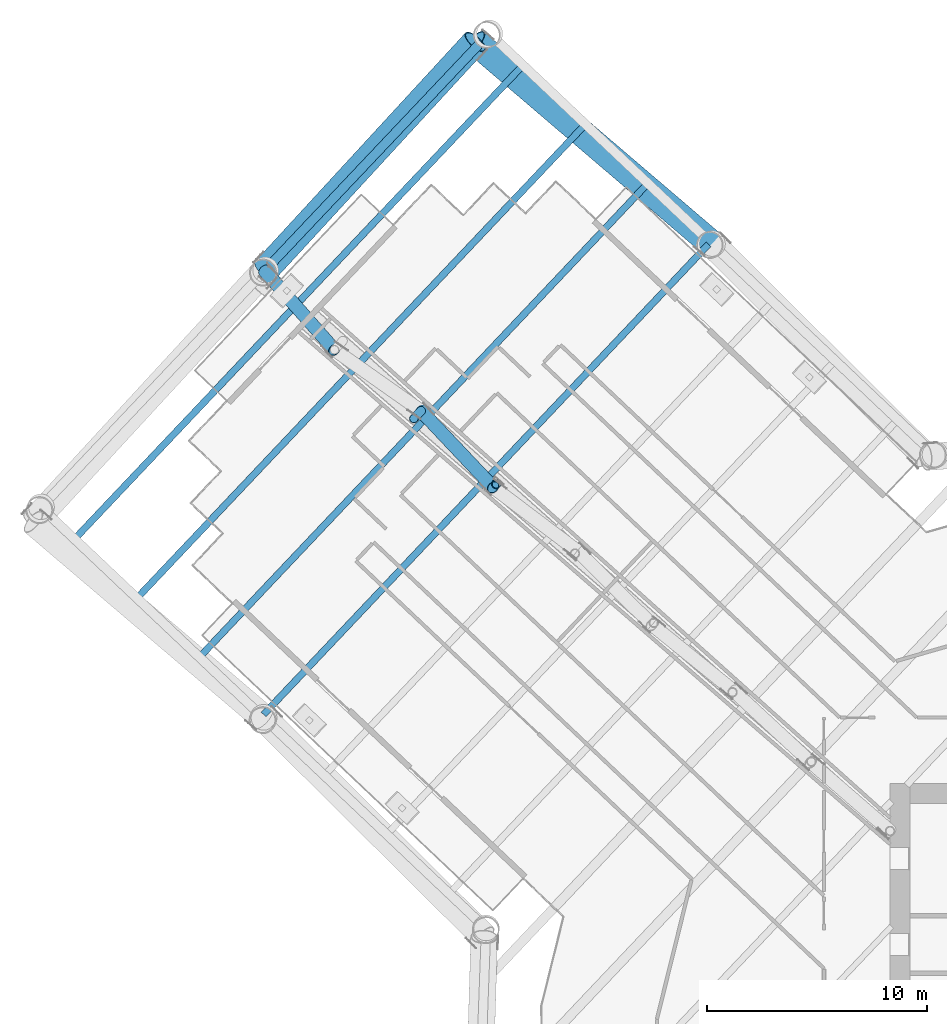
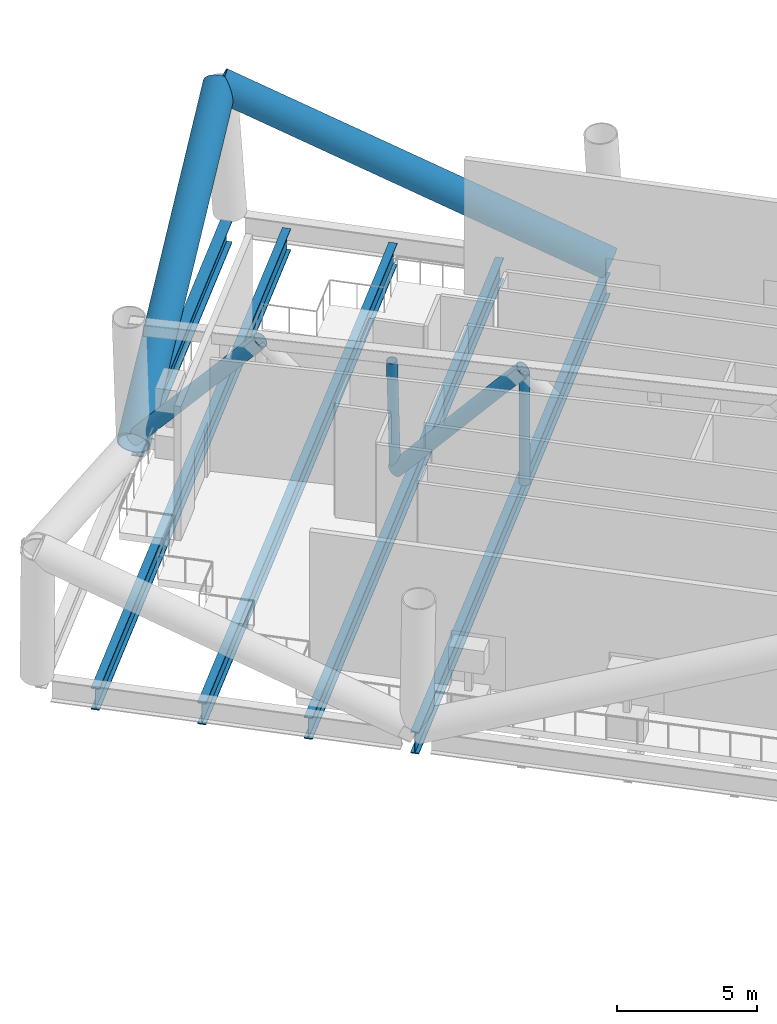
# One storey, part 9 of 39: 6 members, 5 beams.
"""IFC4 building model written with IfcOpenShell, lengths in metres."""

from ifc_helpers import new_model, si_unit, direction, frame, origin, origin_2d, place, context, subcontext, project, spatial, hollow_circle, i_section, extrude, material, material_profile, profile_set, type_object, element, save


model = new_model("IFC4")

# Units and contexts
model_context = context("Model", 3, precision=1e-05, world=origin(), true_north=direction((0.0, 1.0)))
body_context = subcontext(model_context, "Body", "Model", "MODEL_VIEW")
ifc_project = project(units=[si_unit("LENGTHUNIT", "METRE"), si_unit("AREAUNIT", "SQUARE_METRE"), si_unit("VOLUMEUNIT", "CUBIC_METRE"), si_unit("PLANEANGLEUNIT", "RADIAN"), si_unit("MASSUNIT", "GRAM", prefix="KILO")], contexts=[model_context])

# Site, building, storey
site_placement = place(None, origin())
site = spatial("IfcSite", under=ifc_project, at=site_placement, CompositionType="ELEMENT")
building_placement = place(site_placement, origin())
building = spatial("IfcBuilding", under=site, at=building_placement, Name="Tarsis Ring Headquarters", CompositionType="ELEMENT")
storey_placement = place(building_placement, frame((0.0, 0.0, 86.800048828125)))
storey = spatial("IfcBuildingStorey", under=building, at=storey_placement, Name="L19", CompositionType="ELEMENT", Elevation=86.800048828125)

# Beams
ifc_material_1 = material(Name="Structural steel S355", Category="steel")
ifc_material_profile_1 = material_profile(ifc_material_1, i_section(OverallWidth=0.309814453125, OverallDepth=0.949951171875, WebThickness=0.0244140625, FlangeThickness=0.0439453125, at=origin_2d()), Name="W36x256")
ifc_profile_set_1 = profile_set([ifc_material_profile_1], Name="Structural steel S355")
beam_type_1 = type_object("IfcBeamType", Name="FB Floor beam W36x256", PredefinedType="JOIST", material=ifc_profile_set_1)
for number, where, z_axis, x_axis, name in (
    (1, (-18.2314453125, 37.474609375, -0.775146484375), (-0.687340435099, -0.726335408939, 0.0), (0.726335408939, -0.687340435099, 0.0), "Floor beam FB11"),
    (2, (-21.064208984375, 40.1552734375, -0.775146484375), (-0.687340435099, -0.726335408939, 0.0), (0.726335408939, -0.687340435099, 0.0), "Floor beam FB11"),
    (3, (-23.89697265625, 42.8359375, -0.775146484375), (-0.687340435099, -0.726335408939, 0.0), (0.726335408939, -0.687340435099, 0.0), "Floor beam FB11"),
    (4, (-26.7294921875, 45.5166015625, -0.775146484375), (-0.687340435099, -0.726335408939, 0.0), (0.726335408939, -0.687340435099, 0.0), "Floor beam FB11"),
):
    element("IfcBeam", number, at=place(storey_placement, frame(where, z_axis=z_axis, x_axis=x_axis)), inside=storey, type_object=beam_type_1, Name=name, PredefinedType="JOIST", context=body_context, shape_type="SweptSolid", body=[
        extrude(i_section(OverallWidth=0.309814453125, OverallDepth=0.949951171875, WebThickness=0.0244140625, FlangeThickness=0.0439453125, at=origin_2d()), origin(), (0.0, 0.0, 1.0), 29.375732421875),
    ])

# Members
ifc_material_profile_2 = material_profile(ifc_material_1, hollow_circle(Radius=0.3046875, WallThickness=0.02490234375, at=origin_2d()), Name="CHS 610x25")
ifc_profile_set_2 = profile_set([ifc_material_profile_2], Name="Structural steel S355")
member_type_1 = type_object("IfcMemberType", Name="OD Outrigger diagonal CHS 610x25", PredefinedType="BRACE", material=ifc_profile_set_2)
member_1_placement = place(storey_placement, frame((-28.00439453125, 26.446044921875, 5.5859375), z_axis=(-0.457620713767, 0.484886854729, -0.745297269848), x_axis=(-0.727258667366, -0.68636348296, 0.0)))
element("IfcMember", 5, at=member_1_placement, inside=storey, type_object=member_type_1, Name="Outrigger diagonal OD1", PredefinedType="BRACE", context=body_context, shape_type="SweptSolid", body=[
    extrude(hollow_circle(Radius=0.3046875, WallThickness=0.02490234375, at=origin_2d()), origin(), (0.0, 0.0, 1.0), 7.154296875),
])
member_2_placement = place(storey_placement, frame((-35.206298828125, 32.68359375, 5.5859375), z_axis=(-0.441873818847, 0.500601726119, -0.744409457237), x_axis=(-0.74971419946, -0.661761754054, 0.0)))
element("IfcMember", 6, at=member_2_placement, inside=storey, type_object=member_type_1, Name="Outrigger diagonal OD1", PredefinedType="BRACE", context=body_context, shape_type="SweptSolid", body=[
    extrude(hollow_circle(Radius=0.3046875, WallThickness=0.02490234375, at=origin_2d()), origin(), (0.0, 0.0, 1.0), 7.162841796875),
])
ifc_material_profile_3 = material_profile(ifc_material_1, hollow_circle(Radius=0.203125, WallThickness=0.01611328125, at=origin_2d()), Name="CHS 406x16")
ifc_profile_set_3 = profile_set([ifc_material_profile_3], Name="Structural steel S355")
member_type_2 = type_object("IfcMemberType", Name="OV Outrigger post CHS 406x16", PredefinedType="STRUT", material=ifc_profile_set_3)
member_3_placement = place(storey_placement, frame((-27.8681640625, 26.592041015625, 0.508056640625), z_axis=(0.0, 0.0, 1.0), x_axis=(1.0, 0.0, 0.0)))
element("IfcMember", 7, at=member_3_placement, inside=storey, type_object=member_type_2, Name="Outrigger post OV1", PredefinedType="STRUT", context=body_context, shape_type="SweptSolid", body=[
    extrude(hollow_circle(Radius=0.203125, WallThickness=0.01611328125, at=origin_2d()), origin(), (0.0, 0.0, 1.0), 4.823974609375),
])
member_4_placement = place(storey_placement, frame((-31.2783203125, 29.9150390625, 0.508056640625), z_axis=(-0.067434969542, -0.072219377388, 0.995106469888), x_axis=(0.73090270466, -0.682481674714, 0.0)))
element("IfcMember", 8, at=member_4_placement, inside=storey, type_object=member_type_2, Name="Outrigger post OV1", PredefinedType="STRUT", context=body_context, shape_type="SweptSolid", body=[
    extrude(hollow_circle(Radius=0.203125, WallThickness=0.01611328125, at=origin_2d()), origin(), (0.0, 0.0, 1.0), 4.84765625),
])
ifc_material_2 = material(Name="Structural steel S460", Category="steel")
ifc_material_profile_4 = material_profile(ifc_material_2, hollow_circle(Radius=0.609619140625, WallThickness=0.050048828125, at=origin_2d()), Name="CHS 1219x50")
ifc_profile_set_4 = profile_set([ifc_material_profile_4], Name="Structural steel S460")
member_type_3 = type_object("IfcMemberType", Name="TD Belt truss diagonal CHS 1219x50", PredefinedType="BRACE", material=ifc_profile_set_4)
member_5_placement = place(storey_placement, frame((-18.080078125, 37.48583984375, 0.0), z_axis=(-0.699872840273, 0.597644580817, 0.39115081806), x_axis=(-0.64938314882, -0.760461390228, 0.0)))
element("IfcMember", 9, at=member_5_placement, inside=storey, type_object=member_type_3, Name="Belt truss diagonal TD1", PredefinedType="BRACE", context=body_context, shape_type="SweptSolid", body=[
    extrude(hollow_circle(Radius=0.609619140625, WallThickness=0.050048828125, at=origin_2d()), origin(), (0.0, 0.0, 1.0), 15.33935546875),
])
member_6_placement = place(storey_placement, frame((-38.3505859375, 36.29150390625, 0.0), z_axis=(0.622941736409, 0.676965642726, 0.391996315811), x_axis=(-0.735858786, 0.67713502868, 0.0)))
element("IfcMember", 10, at=member_6_placement, inside=storey, type_object=member_type_3, Name="Belt truss diagonal TD1", PredefinedType="BRACE", context=body_context, shape_type="SweptSolid", body=[
    extrude(hollow_circle(Radius=0.609619140625, WallThickness=0.050048828125, at=origin_2d()), origin(), (0.0, 0.0, 1.0), 15.30615234375),
])

# Beam
ifc_material_profile_5 = material_profile(ifc_material_1, i_section(OverallWidth=0.42431640625, OverallDepth=0.947509765625, WebThickness=0.02392578125, FlangeThickness=0.042724609375, at=origin_2d()), Name="W36x302")
ifc_profile_set_5 = profile_set([ifc_material_profile_5], Name="Structural steel S355")
beam_type_2 = type_object("IfcBeamType", Name="XG Ring girder W36x302", PredefinedType="BEAM", material=ifc_profile_set_5)
beam_placement = place(storey_placement, frame((-28.554931640625, 46.642822265625, -0.4736328125), z_axis=(-0.687346222734, -0.726329931982, 0.0), x_axis=(0.726329931982, -0.687346222734, 0.0)))
element("IfcBeam", 11, at=beam_placement, inside=storey, type_object=beam_type_2, Name="Ring girder XG1", PredefinedType="BEAM", context=body_context, shape_type="SweptSolid", body=[
    extrude(i_section(OverallWidth=0.42431640625, OverallDepth=0.947509765625, WebThickness=0.02392578125, FlangeThickness=0.042724609375, at=origin_2d()), origin(), (0.0, 0.0, 1.0), 13.70263671875),
])

save(model, "model.ifc")
